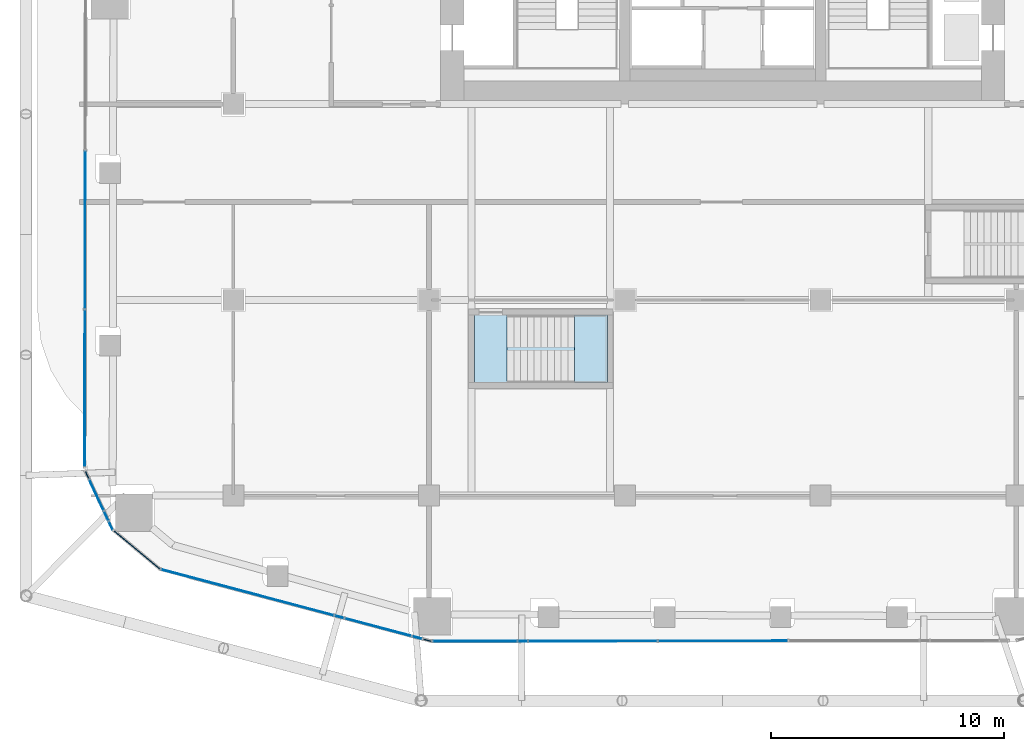
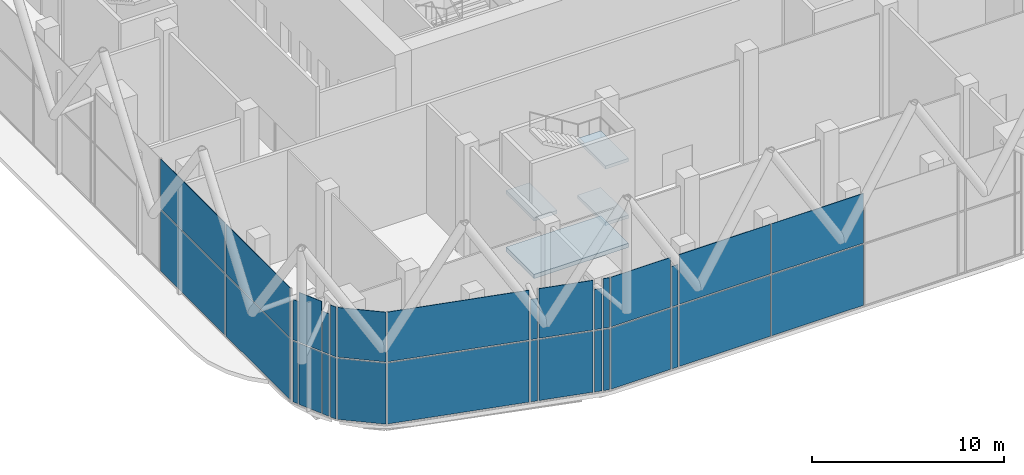
# One storey, part 17 of 34: 32 plates, 4 slabs, 15 elements without a shape of their own.
"""IFC4 building model written with IfcOpenShell, lengths in metres."""

from ifc_helpers import new_model, si_unit, direction, frame, origin, origin_2d, place, context, subcontext, project, spatial, polyline, rectangle, outline, extrude, material, layer, layer_set, type_object, element, aggregate, save


model = new_model("IFC4")

# Units and contexts
model_context = context("Model", 3, precision=1e-05, world=origin(), true_north=direction((0.0, 1.0)))
body_context = subcontext(model_context, "Body", "Model", "MODEL_VIEW")
ifc_project = project(units=[si_unit("LENGTHUNIT", "METRE"), si_unit("AREAUNIT", "SQUARE_METRE"), si_unit("VOLUMEUNIT", "CUBIC_METRE"), si_unit("PLANEANGLEUNIT", "RADIAN"), si_unit("MASSUNIT", "GRAM", prefix="KILO")], contexts=[model_context])

# Site, building, storey
site_placement = place(None, origin())
site = spatial("IfcSite", under=ifc_project, at=site_placement, CompositionType="ELEMENT")
building_placement = place(site_placement, origin())
building = spatial("IfcBuilding", under=site, at=building_placement, Name="Marenta Gate Hotel Tower", CompositionType="ELEMENT")
storey_placement = place(building_placement, frame((0.0, 0.0, 97.699951171875)))
storey = spatial("IfcBuildingStorey", under=building, at=storey_placement, Name="L21", CompositionType="ELEMENT", Elevation=97.699951171875)

# Curtain wall, plates
ifc_material_1 = material(Name="Tinted insulated glass in bronze anodised frame", Category="glass")
ifc_layer_1 = layer(ifc_material_1, 0.1298828125)
ifc_layer_set_1 = layer_set([ifc_layer_1], Name="Tinted insulated glass in bronze anodised frame")
curtain_wall_type = type_object("IfcCurtainWallType", Name="Sky lobby glazing CW2", PredefinedType="NOTDEFINED", material=ifc_layer_set_1)
curtain_wall_1_placement = place(storey_placement, origin())
curtain_wall_1 = element("IfcCurtainWall", 1, at=curtain_wall_1_placement, inside=storey, type_object=curtain_wall_type, Name="CW2 run G08", PredefinedType="NOTDEFINED")
ifc_material_2 = material(Name="Tinted insulated glass", Category="glass")
ifc_layer_2 = layer(ifc_material_2, 0.033935546875)
ifc_layer_set_2 = layer_set([ifc_layer_2], Name="Tinted insulated glass")
plate_type = type_object("IfcPlateType", Name="Glass panel CW2 34 mm tinted insulated unit", PredefinedType="CURTAIN_PANEL", material=ifc_layer_set_2)
plate_1_placement = place(storey_placement, frame((-27.36181640625, -5.389404296875, 0.080078125), z_axis=(0.0, 0.0, 1.0), x_axis=(-0.001564912707, -0.999998775523, 0.0)))
plate_1 = element("IfcPlate", 2, at=plate_1_placement, type_object=plate_type, Name="CW2 panel 2.1", PredefinedType="CURTAIN_PANEL", context=body_context, shape_type="SweptSolid", body=[
    extrude(rectangle(XDim=6.736083984375, YDim=0.033935546875, at=origin_2d()), origin(), (0.0, 0.0, 1.0), 3.8798828125),
])
plate_2_placement = place(storey_placement, frame((-27.36181640625, -5.389404296875, 4.0400390625), z_axis=(0.0, 0.0, 1.0), x_axis=(-0.001564912707, -0.999998775523, 0.0)))
plate_2 = element("IfcPlate", 3, at=plate_2_placement, type_object=plate_type, Name="CW2 panel 2.2", PredefinedType="CURTAIN_PANEL", context=body_context, shape_type="SweptSolid", body=[
    extrude(rectangle(XDim=6.736083984375, YDim=0.033935546875, at=origin_2d()), origin(), (0.0, 0.0, 1.0), 3.159912109375),
])
plate_3_placement = place(storey_placement, frame((-27.37255859375, -12.185546875, 0.080078125), z_axis=(0.0, 0.0, 1.0), x_axis=(-0.001564912707, -0.999998775523, 0.0)))
plate_3 = element("IfcPlate", 4, at=plate_3_placement, type_object=plate_type, Name="CW2 panel 3.1", PredefinedType="CURTAIN_PANEL", context=body_context, shape_type="SweptSolid", body=[
    extrude(rectangle(XDim=6.696044921875, YDim=0.033935546875, at=origin_2d()), origin(), (0.0, 0.0, 1.0), 3.8798828125),
])
plate_4_placement = place(storey_placement, frame((-27.37255859375, -12.185546875, 4.0400390625), z_axis=(0.0, 0.0, 1.0), x_axis=(-0.001564912707, -0.999998775523, 0.0)))
plate_4 = element("IfcPlate", 5, at=plate_4_placement, type_object=plate_type, Name="CW2 panel 3.2", PredefinedType="CURTAIN_PANEL", context=body_context, shape_type="SweptSolid", body=[
    extrude(rectangle(XDim=6.696044921875, YDim=0.033935546875, at=origin_2d()), origin(), (0.0, 0.0, 1.0), 3.159912109375),
])
aggregate(curtain_wall_1, [plate_1, plate_2, plate_3, plate_4])

curtain_wall_2_placement = place(storey_placement, origin())
curtain_wall_2 = element("IfcCurtainWall", 6, at=curtain_wall_2_placement, inside=storey, type_object=curtain_wall_type, Name="CW2 run G09", PredefinedType="NOTDEFINED")
plate_5_placement = place(storey_placement, frame((-27.275634765625, -15.9140625, 0.080078125), z_axis=(0.0, 0.0, 1.0), x_axis=(0.423183671659, -0.906043917281, 0.0)))
plate_5 = element("IfcPlate", 7, at=plate_5_placement, type_object=plate_type, Name="CW2 panel 1.1", PredefinedType="CURTAIN_PANEL", context=body_context, shape_type="SweptSolid", body=[
    extrude(rectangle(XDim=0.32373046875, YDim=0.033935546875, at=origin_2d()), origin(), (0.0, 0.0, 1.0), 3.8798828125),
])
plate_6_placement = place(storey_placement, frame((-27.275634765625, -15.9140625, 4.0400390625), z_axis=(0.0, 0.0, 1.0), x_axis=(0.423183671659, -0.906043917281, 0.0)))
plate_6 = element("IfcPlate", 8, at=plate_6_placement, type_object=plate_type, Name="CW2 panel 1.2", PredefinedType="CURTAIN_PANEL", context=body_context, shape_type="SweptSolid", body=[
    extrude(rectangle(XDim=0.32373046875, YDim=0.033935546875, at=origin_2d()), origin(), (0.0, 0.0, 1.0), 2.560546875),
])
aggregate(curtain_wall_2, [plate_5, plate_6])

curtain_wall_3_placement = place(storey_placement, origin())
curtain_wall_3 = element("IfcCurtainWall", 9, at=curtain_wall_3_placement, inside=storey, type_object=curtain_wall_type, Name="CW2 run G10", PredefinedType="NOTDEFINED")
plate_7_placement = place(storey_placement, frame((-26.873291015625, -16.775146484375, 0.080078125), z_axis=(0.0, 0.0, 1.0), x_axis=(0.423357128857, -0.905962880833, 0.0)))
plate_7 = element("IfcPlate", 10, at=plate_7_placement, type_object=plate_type, Name="CW2 panel 1.1", PredefinedType="CURTAIN_PANEL", context=body_context, shape_type="SweptSolid", body=[
    extrude(rectangle(XDim=1.4169921875, YDim=0.033935546875, at=origin_2d()), origin(), (0.0, 0.0, 1.0), 3.8798828125),
])
plate_8_placement = place(storey_placement, frame((-26.873291015625, -16.775146484375, 4.0400390625), z_axis=(0.0, 0.0, 1.0), x_axis=(0.423357128857, -0.905962880833, 0.0)))
plate_8 = element("IfcPlate", 11, at=plate_8_placement, type_object=plate_type, Name="CW2 panel 1.2", PredefinedType="CURTAIN_PANEL", context=body_context, shape_type="SweptSolid", body=[
    extrude(rectangle(XDim=1.4169921875, YDim=0.033935546875, at=origin_2d()), origin(), (0.0, 0.0, 1.0), 3.159912109375),
])
aggregate(curtain_wall_3, [plate_7, plate_8])

curtain_wall_4_placement = place(storey_placement, origin())
curtain_wall_4 = element("IfcCurtainWall", 12, at=curtain_wall_4_placement, inside=storey, type_object=curtain_wall_type, Name="CW2 run G11", PredefinedType="NOTDEFINED")
plate_9_placement = place(storey_placement, frame((-26.4541015625, -17.672119140625, 0.080078125), z_axis=(0.0, 0.0, 1.0), x_axis=(0.423361641148, -0.905960772222, 0.0)))
plate_9 = element("IfcPlate", 13, at=plate_9_placement, type_object=plate_type, Name="CW2 panel 1.1", PredefinedType="CURTAIN_PANEL", context=body_context, shape_type="SweptSolid", body=[
    extrude(rectangle(XDim=0.40283203125, YDim=0.033935546875, at=origin_2d()), origin(), (0.0, 0.0, 1.0), 3.8798828125),
])
plate_10_placement = place(storey_placement, frame((-26.4541015625, -17.672119140625, 4.0400390625), z_axis=(0.0, 0.0, 1.0), x_axis=(0.423361641148, -0.905960772222, 0.0)))
plate_10 = element("IfcPlate", 14, at=plate_10_placement, type_object=plate_type, Name="CW2 panel 1.2", PredefinedType="CURTAIN_PANEL", context=body_context, shape_type="SweptSolid", body=[
    extrude(rectangle(XDim=0.40283203125, YDim=0.033935546875, at=origin_2d()), origin(), (0.0, 0.0, 1.0), 2.560546875),
])
aggregate(curtain_wall_4, [plate_9, plate_10])

curtain_wall_5_placement = place(storey_placement, origin())
curtain_wall_5 = element("IfcCurtainWall", 15, at=curtain_wall_5_placement, inside=storey, type_object=curtain_wall_type, Name="CW2 run G12", PredefinedType="NOTDEFINED")
plate_11_placement = place(storey_placement, frame((-26.257080078125, -18.09375, 0.080078125), z_axis=(0.0, 0.0, 1.0), x_axis=(0.423508020603, -0.905892353696, 0.0)))
plate_11 = element("IfcPlate", 16, at=plate_11_placement, type_object=plate_type, Name="CW2 panel 1.1", PredefinedType="CURTAIN_PANEL", context=body_context, shape_type="SweptSolid", body=[
    extrude(rectangle(XDim=0.368408203125, YDim=0.033935546875, at=origin_2d()), origin(), (0.0, 0.0, 1.0), 3.8798828125),
])
plate_12_placement = place(storey_placement, frame((-26.257080078125, -18.09375, 4.0400390625), z_axis=(0.0, 0.0, 1.0), x_axis=(0.423508020603, -0.905892353696, 0.0)))
plate_12 = element("IfcPlate", 17, at=plate_12_placement, type_object=plate_type, Name="CW2 panel 1.2", PredefinedType="CURTAIN_PANEL", context=body_context, shape_type="SweptSolid", body=[
    extrude(rectangle(XDim=0.368408203125, YDim=0.033935546875, at=origin_2d()), origin(), (0.0, 0.0, 1.0), 3.159912109375),
])
aggregate(curtain_wall_5, [plate_11, plate_12])

curtain_wall_6_placement = place(storey_placement, origin())
curtain_wall_6 = element("IfcCurtainWall", 18, at=curtain_wall_6_placement, inside=storey, type_object=curtain_wall_type, Name="CW2 run G13", PredefinedType="NOTDEFINED")
plate_13_placement = place(storey_placement, frame((-25.13671875, -19.13232421875, 0.080078125), z_axis=(0.0, 0.0, 1.0), x_axis=(0.767098241544, -0.641529646876, 0.0)))
plate_13 = element("IfcPlate", 19, at=plate_13_placement, type_object=plate_type, Name="CW2 panel 1.1", PredefinedType="CURTAIN_PANEL", context=body_context, shape_type="SweptSolid", body=[
    extrude(rectangle(XDim=2.5576171875, YDim=0.033935546875, at=origin_2d()), origin(), (0.0, 0.0, 1.0), 3.8798828125),
])
plate_14_placement = place(storey_placement, frame((-25.13671875, -19.13232421875, 4.0400390625), z_axis=(0.0, 0.0, 1.0), x_axis=(0.767098241544, -0.641529646876, 0.0)))
plate_14 = element("IfcPlate", 20, at=plate_14_placement, type_object=plate_type, Name="CW2 panel 1.2", PredefinedType="CURTAIN_PANEL", context=body_context, shape_type="SweptSolid", body=[
    extrude(rectangle(XDim=2.5576171875, YDim=0.033935546875, at=origin_2d()), origin(), (0.0, 0.0, 1.0), 3.159912109375),
])
aggregate(curtain_wall_6, [plate_13, plate_14])

curtain_wall_7_placement = place(storey_placement, origin())
curtain_wall_7 = element("IfcCurtainWall", 21, at=curtain_wall_7_placement, inside=storey, type_object=curtain_wall_type, Name="CW2 run G14", PredefinedType="NOTDEFINED")
plate_15_placement = place(storey_placement, frame((-20.39404296875, -20.95361328125, 0.080078125), z_axis=(0.0, 0.0, 1.0), x_axis=(0.966374596455, -0.25713836611, 0.0)))
plate_15 = element("IfcPlate", 22, at=plate_15_placement, type_object=plate_type, Name="CW2 panel 1.1", PredefinedType="CURTAIN_PANEL", context=body_context, shape_type="SweptSolid", body=[
    extrude(rectangle(XDim=7.625244140625, YDim=0.033935546875, at=origin_2d()), origin(), (0.0, 0.0, 1.0), 3.8798828125),
])
plate_16_placement = place(storey_placement, frame((-20.39404296875, -20.95361328125, 4.0400390625), z_axis=(0.0, 0.0, 1.0), x_axis=(0.966374596455, -0.25713836611, 0.0)))
plate_16 = element("IfcPlate", 23, at=plate_16_placement, type_object=plate_type, Name="CW2 panel 1.2", PredefinedType="CURTAIN_PANEL", context=body_context, shape_type="SweptSolid", body=[
    extrude(rectangle(XDim=7.625244140625, YDim=0.033935546875, at=origin_2d()), origin(), (0.0, 0.0, 1.0), 3.159912109375),
])
aggregate(curtain_wall_7, [plate_15, plate_16])

curtain_wall_8_placement = place(storey_placement, origin())
curtain_wall_8 = element("IfcCurtainWall", 24, at=curtain_wall_8_placement, inside=storey, type_object=curtain_wall_type, Name="CW2 run G15", PredefinedType="NOTDEFINED")
plate_17_placement = place(storey_placement, frame((-16.451904296875, -22.002685546875, 0.080078125), z_axis=(0.0, 0.0, 1.0), x_axis=(0.966370359942, -0.257154287199, 0.0)))
plate_17 = element("IfcPlate", 25, at=plate_17_placement, type_object=plate_type, Name="CW2 panel 1.1", PredefinedType="CURTAIN_PANEL", context=body_context, shape_type="SweptSolid", body=[
    extrude(rectangle(XDim=0.373046875, YDim=0.033935546875, at=origin_2d()), origin(), (0.0, 0.0, 1.0), 3.8798828125),
])
plate_18_placement = place(storey_placement, frame((-16.451904296875, -22.002685546875, 4.0400390625), z_axis=(0.0, 0.0, 1.0), x_axis=(0.966370359942, -0.257154287199, 0.0)))
plate_18 = element("IfcPlate", 26, at=plate_18_placement, type_object=plate_type, Name="CW2 panel 1.2", PredefinedType="CURTAIN_PANEL", context=body_context, shape_type="SweptSolid", body=[
    extrude(rectangle(XDim=0.373046875, YDim=0.033935546875, at=origin_2d()), origin(), (0.0, 0.0, 1.0), 2.560546875),
])
aggregate(curtain_wall_8, [plate_17, plate_18])

curtain_wall_9_placement = place(storey_placement, origin())
curtain_wall_9 = element("IfcCurtainWall", 27, at=curtain_wall_9_placement, inside=storey, type_object=curtain_wall_type, Name="CW2 run G16", PredefinedType="NOTDEFINED")
plate_19_placement = place(storey_placement, frame((-14.78564453125, -22.446044921875, 0.080078125), z_axis=(0.0, 0.0, 1.0), x_axis=(0.966371659835, -0.25714940223, 0.0)))
plate_19 = element("IfcPlate", 28, at=plate_19_placement, type_object=plate_type, Name="CW2 panel 1.1", PredefinedType="CURTAIN_PANEL", context=body_context, shape_type="SweptSolid", body=[
    extrude(rectangle(XDim=2.91552734375, YDim=0.033935546875, at=origin_2d()), origin(), (0.0, 0.0, 1.0), 3.8798828125),
])
plate_20_placement = place(storey_placement, frame((-14.78564453125, -22.446044921875, 4.0400390625), z_axis=(0.0, 0.0, 1.0), x_axis=(0.966371659835, -0.25714940223, 0.0)))
plate_20 = element("IfcPlate", 29, at=plate_20_placement, type_object=plate_type, Name="CW2 panel 1.2", PredefinedType="CURTAIN_PANEL", context=body_context, shape_type="SweptSolid", body=[
    extrude(rectangle(XDim=2.91552734375, YDim=0.033935546875, at=origin_2d()), origin(), (0.0, 0.0, 1.0), 3.159912109375),
])
aggregate(curtain_wall_9, [plate_19, plate_20])

curtain_wall_10_placement = place(storey_placement, origin())
curtain_wall_10 = element("IfcCurtainWall", 30, at=curtain_wall_10_placement, inside=storey, type_object=curtain_wall_type, Name="CW2 run G17", PredefinedType="NOTDEFINED")
plate_21_placement = place(storey_placement, frame((-13.1064453125, -22.892822265625, 0.080078125), z_axis=(0.0, 0.0, 1.0), x_axis=(0.966404263523, -0.257026845764, 0.0)))
plate_21 = element("IfcPlate", 31, at=plate_21_placement, type_object=plate_type, Name="CW2 panel 1.1", PredefinedType="CURTAIN_PANEL", context=body_context, shape_type="SweptSolid", body=[
    extrude(rectangle(XDim=0.399658203125, YDim=0.033935546875, at=origin_2d()), origin(), (0.0, 0.0, 1.0), 3.8798828125),
])
plate_22_placement = place(storey_placement, frame((-13.1064453125, -22.892822265625, 4.0400390625), z_axis=(0.0, 0.0, 1.0), x_axis=(0.966404263523, -0.257026845764, 0.0)))
plate_22 = element("IfcPlate", 32, at=plate_22_placement, type_object=plate_type, Name="CW2 panel 1.2", PredefinedType="CURTAIN_PANEL", context=body_context, shape_type="SweptSolid", body=[
    extrude(rectangle(XDim=0.399658203125, YDim=0.033935546875, at=origin_2d()), origin(), (0.0, 0.0, 1.0), 2.560546875),
])
aggregate(curtain_wall_10, [plate_21, plate_22])

curtain_wall_11_placement = place(storey_placement, origin())
curtain_wall_11 = element("IfcCurtainWall", 33, at=curtain_wall_11_placement, inside=storey, type_object=curtain_wall_type, Name="CW2 run G18", PredefinedType="NOTDEFINED")
plate_23_placement = place(storey_placement, frame((-12.67138671875, -23.008544921875, 0.080078125), z_axis=(0.0, 0.0, 1.0), x_axis=(0.966357026263, -0.257204389139, 0.0)))
plate_23 = element("IfcPlate", 34, at=plate_23_placement, type_object=plate_type, Name="CW2 panel 1.1", PredefinedType="CURTAIN_PANEL", context=body_context, shape_type="SweptSolid", body=[
    extrude(rectangle(XDim=0.341064453125, YDim=0.033935546875, at=origin_2d()), origin(), (0.0, 0.0, 1.0), 3.8798828125),
])
plate_24_placement = place(storey_placement, frame((-12.67138671875, -23.008544921875, 4.0400390625), z_axis=(0.0, 0.0, 1.0), x_axis=(0.966357026263, -0.257204389139, 0.0)))
plate_24 = element("IfcPlate", 35, at=plate_24_placement, type_object=plate_type, Name="CW2 panel 1.2", PredefinedType="CURTAIN_PANEL", context=body_context, shape_type="SweptSolid", body=[
    extrude(rectangle(XDim=0.341064453125, YDim=0.033935546875, at=origin_2d()), origin(), (0.0, 0.0, 1.0), 3.159912109375),
])
aggregate(curtain_wall_11, [plate_23, plate_24])

curtain_wall_12_placement = place(storey_placement, origin())
curtain_wall_12 = element("IfcCurtainWall", 36, at=curtain_wall_12_placement, inside=storey, type_object=curtain_wall_type, Name="CW2 run G19", PredefinedType="NOTDEFINED")
plate_25_placement = place(storey_placement, frame((-10.635498046875, -23.0498046875, 0.080078125), z_axis=(0.0, 0.0, 1.0), x_axis=(0.99999906798, 0.001365298271, 0.0)))
plate_25 = element("IfcPlate", 37, at=plate_25_placement, type_object=plate_type, Name="CW2 panel 1.1", PredefinedType="CURTAIN_PANEL", context=body_context, shape_type="SweptSolid", body=[
    extrude(rectangle(XDim=3.582275390625, YDim=0.033935546875, at=origin_2d()), origin(), (0.0, 0.0, 1.0), 3.8798828125),
])
plate_26_placement = place(storey_placement, frame((-10.635498046875, -23.0498046875, 4.0400390625), z_axis=(0.0, 0.0, 1.0), x_axis=(0.99999906798, 0.001365298271, 0.0)))
plate_26 = element("IfcPlate", 38, at=plate_26_placement, type_object=plate_type, Name="CW2 panel 1.2", PredefinedType="CURTAIN_PANEL", context=body_context, shape_type="SweptSolid", body=[
    extrude(rectangle(XDim=3.582275390625, YDim=0.033935546875, at=origin_2d()), origin(), (0.0, 0.0, 1.0), 3.159912109375),
])
aggregate(curtain_wall_12, [plate_25, plate_26])

curtain_wall_13_placement = place(storey_placement, origin())
curtain_wall_13 = element("IfcCurtainWall", 39, at=curtain_wall_13_placement, inside=storey, type_object=curtain_wall_type, Name="CW2 run G20", PredefinedType="NOTDEFINED")
plate_27_placement = place(storey_placement, frame((-8.577880859375, -23.047119140625, 0.080078125), z_axis=(0.0, 0.0, 1.0), x_axis=(0.999999122847, 0.001324502144, 0.0)))
plate_27 = element("IfcPlate", 40, at=plate_27_placement, type_object=plate_type, Name="CW2 panel 1.1", PredefinedType="CURTAIN_PANEL", context=body_context, shape_type="SweptSolid", body=[
    extrude(rectangle(XDim=0.373046875, YDim=0.033935546875, at=origin_2d()), origin(), (0.0, 0.0, 1.0), 3.8798828125),
])
plate_28_placement = place(storey_placement, frame((-8.577880859375, -23.047119140625, 4.0400390625), z_axis=(0.0, 0.0, 1.0), x_axis=(0.999999122847, 0.001324502144, 0.0)))
plate_28 = element("IfcPlate", 41, at=plate_28_placement, type_object=plate_type, Name="CW2 panel 1.2", PredefinedType="CURTAIN_PANEL", context=body_context, shape_type="SweptSolid", body=[
    extrude(rectangle(XDim=0.373046875, YDim=0.033935546875, at=origin_2d()), origin(), (0.0, 0.0, 1.0), 2.560546875),
])
aggregate(curtain_wall_13, [plate_27, plate_28])

curtain_wall_14_placement = place(storey_placement, origin())
curtain_wall_14 = element("IfcCurtainWall", 42, at=curtain_wall_14_placement, inside=storey, type_object=curtain_wall_type, Name="CW2 run G21", PredefinedType="NOTDEFINED")
plate_29_placement = place(storey_placement, frame((-5.571533203125, -23.04296875, 0.080078125), z_axis=(0.0, 0.0, 1.0), x_axis=(0.999999070887, 0.001363166999, 0.0)))
plate_29 = element("IfcPlate", 43, at=plate_29_placement, type_object=plate_type, Name="CW2 panel 1.1", PredefinedType="CURTAIN_PANEL", context=body_context, shape_type="SweptSolid", body=[
    extrude(rectangle(XDim=5.479736328125, YDim=0.033935546875, at=origin_2d()), origin(), (0.0, 0.0, 1.0), 3.8798828125),
])
plate_30_placement = place(storey_placement, frame((-5.571533203125, -23.04296875, 4.0400390625), z_axis=(0.0, 0.0, 1.0), x_axis=(0.999999070887, 0.001363166999, 0.0)))
plate_30 = element("IfcPlate", 44, at=plate_30_placement, type_object=plate_type, Name="CW2 panel 1.2", PredefinedType="CURTAIN_PANEL", context=body_context, shape_type="SweptSolid", body=[
    extrude(rectangle(XDim=5.479736328125, YDim=0.033935546875, at=origin_2d()), origin(), (0.0, 0.0, 1.0), 3.159912109375),
])
plate_31_placement = place(storey_placement, frame((0.00830078125, -23.035400390625, 0.080078125), z_axis=(0.0, 0.0, 1.0), x_axis=(0.999999070887, 0.001363166999, 0.0)))
plate_31 = element("IfcPlate", 45, at=plate_31_placement, type_object=plate_type, Name="CW2 panel 2.1", PredefinedType="CURTAIN_PANEL", context=body_context, shape_type="SweptSolid", body=[
    extrude(rectangle(XDim=5.519775390625, YDim=0.033935546875, at=origin_2d()), origin(), (0.0, 0.0, 1.0), 3.8798828125),
])
plate_32_placement = place(storey_placement, frame((0.00830078125, -23.035400390625, 4.0400390625), z_axis=(0.0, 0.0, 1.0), x_axis=(0.999999070887, 0.001363166999, 0.0)))
plate_32 = element("IfcPlate", 46, at=plate_32_placement, type_object=plate_type, Name="CW2 panel 2.2", PredefinedType="CURTAIN_PANEL", context=body_context, shape_type="SweptSolid", body=[
    extrude(rectangle(XDim=5.519775390625, YDim=0.033935546875, at=origin_2d()), origin(), (0.0, 0.0, 1.0), 3.159912109375),
])
aggregate(curtain_wall_14, [plate_29, plate_30, plate_31, plate_32])

# Stair, slabs
ifc_material_3 = material(Name="Concrete C40", Category="concrete")
stair_type = type_object("IfcStairType", Name="Remote exit stair 1400 wide", PredefinedType="HALF_TURN_STAIR", material=ifc_material_3)
stair_placement = place(storey_placement, origin())
stair = element("IfcStair", 47, at=stair_placement, inside=storey, type_object=stair_type, Name="Exit stair RS-Z2-1", PredefinedType="HALF_TURN_STAIR")
ifc_material_4 = material(Name="Concrete C40", Category="concrete")
ifc_layer_3 = layer(ifc_material_4, 0.199951171875)
ifc_layer_set_3 = layer_set([ifc_layer_3], Name="Concrete C40")
slab_type_1 = type_object("IfcSlabType", Name="Remote stair landing 200", PredefinedType="LANDING", material=ifc_layer_set_3)
slab_1_placement = place(storey_placement, frame((0.0, 0.0, 1.60009765625)))
slab_1 = element("IfcSlab", 48, at=slab_1_placement, type_object=slab_type_1, Name="RL-200 RS-Z2-1 landing 1", PredefinedType="LANDING", context=body_context, shape_type="SweptSolid", body=[
    extrude(outline(polyline([(-6.35009765625, -11.949951171875), (-4.949951171875, -11.949951171875), (-4.949951171875, -9.050048828125), (-6.35009765625, -9.050048828125), (-6.35009765625, -11.949951171875)])), origin(), (0.0, 0.0, 1.0), 0.199951171875),
])
slab_2_placement = place(storey_placement, frame((0.0, 0.0, 3.400146484375)))
slab_2 = element("IfcSlab", 49, at=slab_2_placement, type_object=slab_type_1, Name="RL-200 RS-Z2-1 landing 2", PredefinedType="LANDING", context=body_context, shape_type="SweptSolid", body=[
    extrude(outline(polyline([(-10.64990234375, -11.949951171875), (-9.25, -11.949951171875), (-9.25, -9.050048828125), (-10.64990234375, -9.050048828125), (-10.64990234375, -11.949951171875)])), origin(), (0.0, 0.0, 1.0), 0.199951171875),
])
slab_3_placement = place(storey_placement, frame((0.0, 0.0, 5.199951171875)))
slab_3 = element("IfcSlab", 50, at=slab_3_placement, type_object=slab_type_1, Name="RL-200 RS-Z2-1 landing 3", PredefinedType="LANDING", context=body_context, shape_type="SweptSolid", body=[
    extrude(outline(polyline([(-6.35009765625, -11.949951171875), (-4.949951171875, -11.949951171875), (-4.949951171875, -9.050048828125), (-6.35009765625, -9.050048828125), (-6.35009765625, -11.949951171875)])), origin(), (0.0, 0.0, 1.0), 0.2001953125),
])
aggregate(stair, [slab_1, slab_2, slab_3])

# Slab
ifc_material_5 = material(Name="Concrete C40", Category="concrete")
ifc_layer_4 = layer(ifc_material_5, 0.300048828125)
ifc_layer_set_4 = layer_set([ifc_layer_4], Name="Concrete C40")
slab_type_2 = type_object("IfcSlabType", Name="Stair floor landing slab 300", PredefinedType="FLOOR", material=ifc_layer_set_4)
slab_4_placement = place(storey_placement, frame((0.0, 0.0, -0.260009765625)))
element("IfcSlab", 51, at=slab_4_placement, inside=storey, type_object=slab_type_2, Name="L21-RS-Z2-1-CL", PredefinedType="FLOOR", context=body_context, shape_type="SweptSolid", body=[
    extrude(outline(polyline([(-4.949951171875, -11.949951171875), (-4.949951171875, -9.050048828125), (-10.64990234375, -9.050048828125), (-10.64990234375, -11.949951171875), (-4.949951171875, -11.949951171875)])), origin(), (0.0, 0.0, 1.0), 0.260009765625),
])

save(model, "model.ifc")
